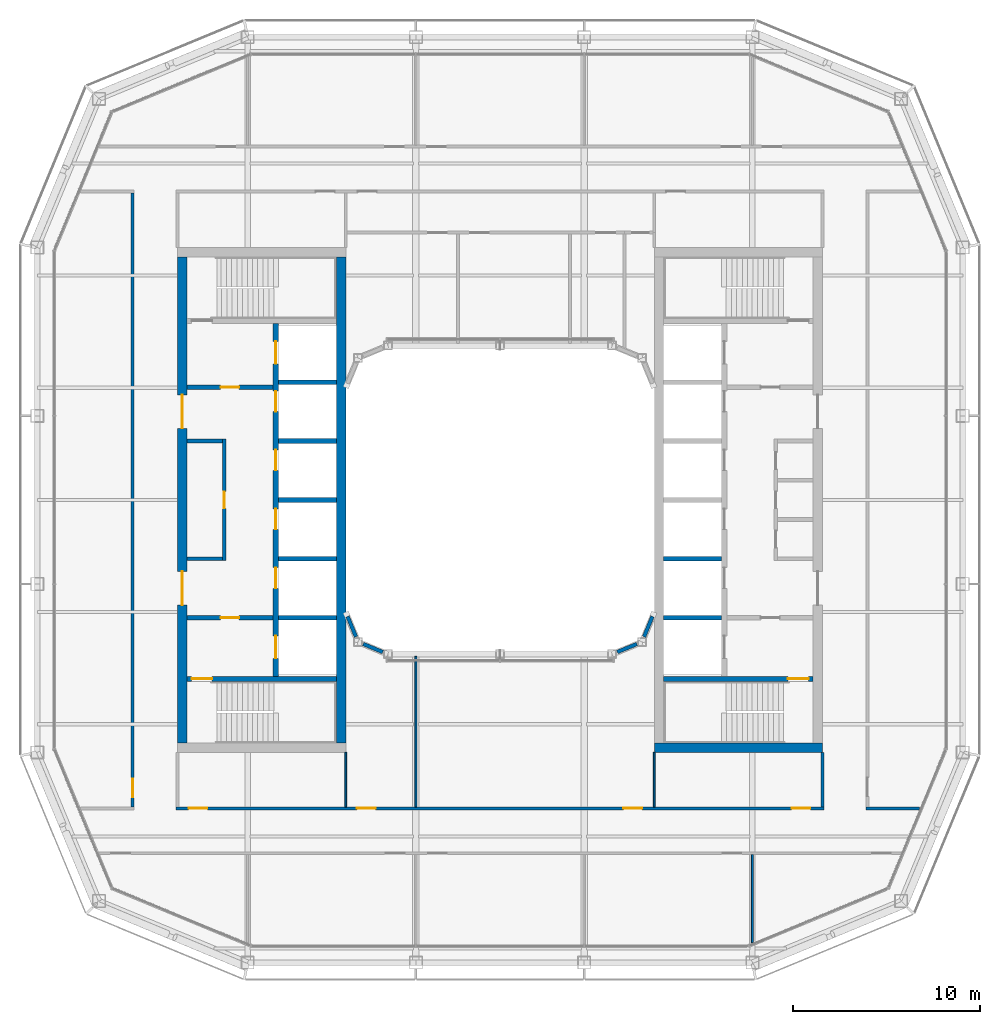
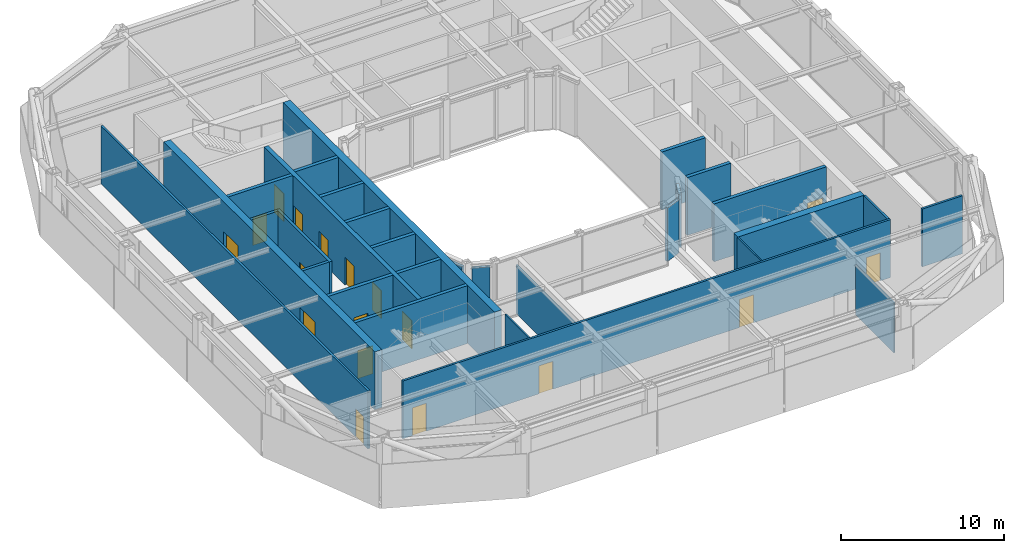
# One storey, part 11 of 18: 30 walls, 18 doors, 18 openings.
"""IFC4 building model written with IfcOpenShell, lengths in metres."""

from ifc_helpers import new_model, si_unit, direction, frame, frame_2d, origin, place, context, subcontext, project, spatial, rectangle, extrude, material, layer, layer_set, type_object, element, fill, save


model = new_model("IFC4")

# Units and contexts
model_context = context("Model", 3, precision=1e-05, world=origin(), true_north=direction((0.0, 1.0)))
body_context = subcontext(model_context, "Body", "Model", "MODEL_VIEW")
ifc_project = project(units=[si_unit("LENGTHUNIT", "METRE"), si_unit("AREAUNIT", "SQUARE_METRE"), si_unit("VOLUMEUNIT", "CUBIC_METRE"), si_unit("PLANEANGLEUNIT", "RADIAN"), si_unit("MASSUNIT", "GRAM", prefix="KILO")], contexts=[model_context])

# Site, building, storey
site_placement = place(None, origin())
site = spatial("IfcSite", under=ifc_project, at=site_placement, CompositionType="ELEMENT")
building_placement = place(site_placement, origin())
building = spatial("IfcBuilding", under=site, at=building_placement, Name="Siwar Civic Tower", CompositionType="ELEMENT")
storey_placement = place(building_placement, frame((0.0, 0.0, 321.199951171875)))
storey = spatial("IfcBuildingStorey", under=building, at=storey_placement, Name="L69", CompositionType="ELEMENT", Elevation=321.199951171875)

# Wall, opening, door
ifc_material_1 = material(Name="Gypsum board on steel studs", Category="steel")
ifc_layer_1 = layer(ifc_material_1, 0.199951171875)
ifc_layer_set_1 = layer_set([ifc_layer_1], Name="Gypsum board on steel studs")
wall_type_1 = type_object("IfcWallType", Name="CORE-PARTITION-200", PredefinedType="PARTITIONING", material=ifc_layer_set_1)
wall_1_placement = place(storey_placement, frame((-14.75, -3.25, 0.0), z_axis=(0.0, 0.0, 1.0), x_axis=(0.0, 1.0, 0.0)))
wall_1 = element("IfcWall", 1, at=wall_1_placement, inside=storey, type_object=wall_type_1, Name="Core partition W", PredefinedType="PARTITIONING", context=body_context, shape_type="SweptSolid", body=[
    extrude(rectangle(XDim=6.5, YDim=0.199951171875, at=frame_2d((3.25, 0.0))), origin(), (0.0, 0.0, 1.0), 4.35009765625),
])
opening_1_placement = place(wall_1_placement, frame((2.800048828125, 0.0, 0.0)))
opening_1 = element("IfcOpeningElement", 2, at=opening_1_placement, cuts=wall_1, Name="Opening L69-CW13", PredefinedType="OPENING", context=body_context, shape_type="SweptSolid", body=[
    extrude(rectangle(XDim=0.89990234375, YDim=2.10009765625, at=frame_2d((0.449951171875, 1.050048828125))), frame((0.0, 0.10986328125, 0.0), z_axis=(0.0, -1.0, 0.0), x_axis=(1.0, 0.0, 0.0)), (0.0, 0.0, 1.0), 0.219970703125),
])
ifc_material_2 = material(Name="Steel door leaf", Category="steel")
door_type_1 = type_object("IfcDoorType", Name="CORE-DOOR-ROOM", OperationType="SINGLE_SWING_LEFT", PredefinedType="DOOR", material=ifc_material_2)
door_1_placement = place(opening_1_placement, origin())
door_1 = element("IfcDoor", 3, at=door_1_placement, inside=storey, type_object=door_type_1, Name="Core room door L69-CW13", OperationType="SINGLE_SWING_RIGHT", OverallHeight=2.10009765625, OverallWidth=0.89990234375, PredefinedType="DOOR", context=body_context, shape_type="SweptSolid", body=[
    extrude(rectangle(XDim=0.89990234375, YDim=2.10009765625, at=frame_2d((0.449951171875, 1.050048828125))), frame((0.0, 0.02490234375, 0.0), z_axis=(0.0, -1.0, 0.0), x_axis=(1.0, 0.0, 0.0)), (0.0, 0.0, 1.0), 0.050048828125),
])
fill(opening_1, door_1)

# Walls
for number, where, z_axis, x_axis, name in (
    (4, (-14.85009765625, 3.14990234375, 0.0), (0.0, 0.0, 1.0), (-1.0, 0.0, 0.0), "Core partition W"),
    (5, (-14.85009765625, -3.14990234375, 0.0), (0.0, 0.0, 1.0), (-1.0, 0.0, 0.0), "Core partition W"),
):
    element("IfcWall", number, at=place(storey_placement, frame(where, z_axis=z_axis, x_axis=x_axis)), inside=storey, type_object=wall_type_1, Name=name, PredefinedType="PARTITIONING", context=body_context, shape_type="SweptSolid", body=[
        extrude(rectangle(XDim=1.89990234375, YDim=0.199951171875, at=frame_2d((0.949951171875, 0.0))), origin(), (0.0, 0.0, 1.0), 4.35009765625),
    ])

# Wall, opening, door
ifc_material_3 = material(Name="Concrete C60/75", Category="concrete")
ifc_layer_2 = layer(ifc_material_3, 0.25)
ifc_layer_set_2 = layer_set([ifc_layer_2], Name="Concrete C60/75")
wall_type_2 = type_object("IfcWallType", Name="CORE-WALL-RC250", PredefinedType="SHEAR", material=ifc_layer_set_2)
wall_2_placement = place(storey_placement, frame((-12.14990234375, 6.02490234375, 0.0), z_axis=(0.0, 0.0, 1.0), x_axis=(-1.0, 0.0, 0.0)))
wall_2 = element("IfcWall", 6, at=wall_2_placement, inside=storey, type_object=wall_type_2, Name="Core wall W", PredefinedType="SHEAR", context=body_context, shape_type="SweptSolid", body=[
    extrude(rectangle(XDim=4.60009765625, YDim=0.25, at=frame_2d((2.300048828125, 0.0))), origin(), (0.0, 0.0, 1.0), 4.35009765625),
])
opening_2_placement = place(wall_2_placement, frame((1.800048828125, 0.0, 0.0)))
opening_2 = element("IfcOpeningElement", 7, at=opening_2_placement, cuts=wall_2, Name="Opening L69-CW01", PredefinedType="OPENING", context=body_context, shape_type="SweptSolid", body=[
    extrude(rectangle(XDim=1.0, YDim=2.10009765625, at=frame_2d((0.5, 1.050048828125))), frame((0.0, 0.135009765625, 0.0), z_axis=(0.0, -1.0, 0.0), x_axis=(1.0, 0.0, 0.0)), (0.0, 0.0, 1.0), 0.27001953125),
])
ifc_material_4 = material(Name="Steel door leaf", Category="steel")
door_type_2 = type_object("IfcDoorType", Name="CORE-DOOR-FD30S", OperationType="SINGLE_SWING_LEFT", PredefinedType="DOOR", material=ifc_material_4)
door_2_placement = place(opening_2_placement, origin())
door_2 = element("IfcDoor", 8, at=door_2_placement, inside=storey, type_object=door_type_2, Name="Firefighting lobby door L69-CW01", OperationType="SINGLE_SWING_LEFT", OverallHeight=2.10009765625, OverallWidth=1.0, PredefinedType="DOOR", context=body_context, shape_type="SweptSolid", body=[
    extrude(rectangle(XDim=1.0, YDim=2.10009765625, at=frame_2d((0.5, 1.050048828125))), frame((0.0, 0.02490234375, 0.0), z_axis=(0.0, -1.0, 0.0), x_axis=(1.0, 0.0, 0.0)), (0.0, 0.0, 1.0), 0.050048828125),
])
fill(opening_2, door_2)

wall_3_placement = place(storey_placement, frame((-12.14990234375, -6.300048828125, 0.0), z_axis=(0.0, 0.0, 1.0), x_axis=(-1.0, 0.0, 0.0)))
wall_3 = element("IfcWall", 9, at=wall_3_placement, inside=storey, type_object=wall_type_2, Name="Core wall W", PredefinedType="SHEAR", context=body_context, shape_type="SweptSolid", body=[
    extrude(rectangle(XDim=4.60009765625, YDim=0.25, at=frame_2d((2.300048828125, 0.0))), origin(), (0.0, 0.0, 1.0), 4.35009765625),
])
opening_3_placement = place(wall_3_placement, frame((1.800048828125, 0.0, 0.0)))
opening_3 = element("IfcOpeningElement", 10, at=opening_3_placement, cuts=wall_3, Name="Opening L69-CW02", PredefinedType="OPENING", context=body_context, shape_type="SweptSolid", body=[
    extrude(rectangle(XDim=1.0, YDim=2.10009765625, at=frame_2d((0.5, 1.050048828125))), frame((0.0, 0.135009765625, 0.0), z_axis=(0.0, -1.0, 0.0), x_axis=(1.0, 0.0, 0.0)), (0.0, 0.0, 1.0), 0.27001953125),
])
door_3_placement = place(opening_3_placement, origin())
door_3 = element("IfcDoor", 11, at=door_3_placement, inside=storey, type_object=door_type_2, Name="Service lobby door L69-CW02", OperationType="SINGLE_SWING_RIGHT", OverallHeight=2.10009765625, OverallWidth=1.0, PredefinedType="DOOR", context=body_context, shape_type="SweptSolid", body=[
    extrude(rectangle(XDim=1.0, YDim=2.10009765625, at=frame_2d((0.5, 1.050048828125))), frame((0.0, 0.02490234375, 0.0), z_axis=(0.0, -1.0, 0.0), x_axis=(1.0, 0.0, 0.0)), (0.0, 0.0, 1.0), 0.050048828125),
])
fill(opening_3, door_3)

# Walls
for number, where, z_axis, x_axis, name in (
    (12, (-8.75, 0.0, 0.0), (0.0, 0.0, 1.0), (-1.0, 0.0, 0.0), "Core wall W"),
    (13, (-8.75, 3.14990234375, 0.0), (0.0, 0.0, 1.0), (-1.0, 0.0, 0.0), "Core wall W"),
    (14, (-8.75, 6.300048828125, 0.0), (0.0, 0.0, 1.0), (-1.0, 0.0, 0.0), "Core wall W"),
    (15, (-8.75, -3.14990234375, 0.0), (0.0, 0.0, 1.0), (-1.0, 0.0, 0.0), "Core wall W"),
    (16, (-8.75, -6.300048828125, 0.0), (0.0, 0.0, 1.0), (-1.0, 0.0, 0.0), "Core wall W"),
):
    element("IfcWall", number, at=place(storey_placement, frame(where, z_axis=z_axis, x_axis=x_axis)), inside=storey, type_object=wall_type_2, Name=name, PredefinedType="SHEAR", context=body_context, shape_type="SweptSolid", body=[
        extrude(rectangle(XDim=3.10009765625, YDim=0.25, at=frame_2d((1.550048828125, 0.0))), origin(), (0.0, 0.0, 1.0), 4.35009765625),
    ])

# Wall, opening, door
wall_4_placement = place(storey_placement, frame((-8.75, -9.574951171875, 0.0), z_axis=(0.0, 0.0, 1.0), x_axis=(-1.0, 0.0, 0.0)))
wall_4 = element("IfcWall", 17, at=wall_4_placement, inside=storey, type_object=wall_type_2, Name="Core wall W", PredefinedType="SHEAR", context=body_context, shape_type="SweptSolid", body=[
    extrude(rectangle(XDim=8.0, YDim=0.25, at=frame_2d((4.0, 0.0))), origin(), (0.0, 0.0, 1.0), 4.35009765625),
])
opening_4_placement = place(wall_4_placement, frame((6.64990234375, 0.0, 0.0)))
opening_4 = element("IfcOpeningElement", 18, at=opening_4_placement, cuts=wall_4, Name="Opening L69-CW04", PredefinedType="OPENING", context=body_context, shape_type="SweptSolid", body=[
    extrude(rectangle(XDim=1.10009765625, YDim=2.10009765625, at=frame_2d((0.550048828125, 1.050048828125))), frame((0.0, 0.135009765625, 0.0), z_axis=(0.0, -1.0, 0.0), x_axis=(1.0, 0.0, 0.0)), (0.0, 0.0, 1.0), 0.27001953125),
])
ifc_material_5 = material(Name="Steel door leaf", Category="steel")
door_type_3 = type_object("IfcDoorType", Name="CORE-DOOR-FD60S", OperationType="SINGLE_SWING_LEFT", PredefinedType="DOOR", material=ifc_material_5)
door_4_placement = place(opening_4_placement, origin())
door_4 = element("IfcDoor", 19, at=door_4_placement, inside=storey, type_object=door_type_3, Name="Stair door L69-CW04", OperationType="SINGLE_SWING_LEFT", OverallHeight=2.10009765625, OverallWidth=1.10009765625, PredefinedType="DOOR", context=body_context, shape_type="SweptSolid", body=[
    extrude(rectangle(XDim=1.10009765625, YDim=2.10009765625, at=frame_2d((0.550048828125, 1.050048828125))), frame((0.0, 0.02490234375, 0.0), z_axis=(0.0, -1.0, 0.0), x_axis=(1.0, 0.0, 0.0)), (0.0, 0.0, 1.0), 0.050048828125),
])
fill(opening_4, door_4)

# Walls
for number, where, z_axis, x_axis, name in (
    (20, (8.75, -3.14990234375, 0.0), (0.0, 0.0, 1.0), (1.0, 0.0, 0.0), "Core wall E"),
    (21, (8.75, -6.300048828125, 0.0), (0.0, 0.0, 1.0), (1.0, 0.0, 0.0), "Core wall E"),
):
    element("IfcWall", number, at=place(storey_placement, frame(where, z_axis=z_axis, x_axis=x_axis)), inside=storey, type_object=wall_type_2, Name=name, PredefinedType="SHEAR", context=body_context, shape_type="SweptSolid", body=[
        extrude(rectangle(XDim=3.10009765625, YDim=0.25, at=frame_2d((1.550048828125, 0.0))), origin(), (0.0, 0.0, 1.0), 4.35009765625),
    ])

# Wall, opening, door
wall_5_placement = place(storey_placement, frame((8.75, -9.574951171875, 0.0), z_axis=(0.0, 0.0, 1.0), x_axis=(1.0, 0.0, 0.0)))
wall_5 = element("IfcWall", 22, at=wall_5_placement, inside=storey, type_object=wall_type_2, Name="Core wall E", PredefinedType="SHEAR", context=body_context, shape_type="SweptSolid", body=[
    extrude(rectangle(XDim=8.0, YDim=0.25, at=frame_2d((4.0, 0.0))), origin(), (0.0, 0.0, 1.0), 4.35009765625),
])
opening_5_placement = place(wall_5_placement, frame((6.64990234375, 0.0, 0.0)))
opening_5 = element("IfcOpeningElement", 23, at=opening_5_placement, cuts=wall_5, Name="Opening L69-CE04", PredefinedType="OPENING", context=body_context, shape_type="SweptSolid", body=[
    extrude(rectangle(XDim=1.10009765625, YDim=2.10009765625, at=frame_2d((0.550048828125, 1.050048828125))), frame((0.0, 0.135009765625, 0.0), z_axis=(0.0, -1.0, 0.0), x_axis=(1.0, 0.0, 0.0)), (0.0, 0.0, 1.0), 0.27001953125),
])
door_5_placement = place(opening_5_placement, origin())
door_5 = element("IfcDoor", 24, at=door_5_placement, inside=storey, type_object=door_type_3, Name="Stair door L69-CE04", OperationType="SINGLE_SWING_RIGHT", OverallHeight=2.10009765625, OverallWidth=1.10009765625, PredefinedType="DOOR", context=body_context, shape_type="SweptSolid", body=[
    extrude(rectangle(XDim=1.10009765625, YDim=2.10009765625, at=frame_2d((0.550048828125, 1.050048828125))), frame((0.0, 0.02490234375, 0.0), z_axis=(0.0, -1.0, 0.0), x_axis=(1.0, 0.0, 0.0)), (0.0, 0.0, 1.0), 0.050048828125),
])
fill(opening_5, door_5)

# Wall, openings, doors
ifc_material_6 = material(Name="Concrete C60/75", Category="concrete")
ifc_layer_3 = layer(ifc_material_6, 0.300048828125)
ifc_layer_set_3 = layer_set([ifc_layer_3], Name="Concrete C60/75")
wall_type_3 = type_object("IfcWallType", Name="CORE-WALL-RC300", PredefinedType="SHEAR", material=ifc_layer_set_3)
wall_6_placement = place(storey_placement, frame((-12.0, -9.449951171875, 0.0), z_axis=(0.0, 0.0, 1.0), x_axis=(0.0, 1.0, 0.0)))
wall_6 = element("IfcWall", 25, at=wall_6_placement, inside=storey, type_object=wall_type_3, Name="Core wall W", PredefinedType="SHEAR", context=body_context, shape_type="SweptSolid", body=[
    extrude(rectangle(XDim=18.89990234375, YDim=0.300048828125, at=frame_2d((9.449951171875, 0.0))), origin(), (0.0, 0.0, 1.0), 4.35009765625),
])
opening_6_placement = place(wall_6_placement, frame((4.72509765625, 0.0, 0.0)))
opening_6 = element("IfcOpeningElement", 26, at=opening_6_placement, cuts=wall_6, Name="Opening L69-CW07", PredefinedType="OPENING", context=body_context, shape_type="SweptSolid", body=[
    extrude(rectangle(XDim=1.10009765625, YDim=2.10009765625, at=frame_2d((0.550048828125, 1.050048828125))), frame((0.0, 0.16015625, 0.0), z_axis=(0.0, -1.0, 0.0), x_axis=(1.0, 0.0, 0.0)), (0.0, 0.0, 1.0), 0.320068359375),
])
opening_7_placement = place(wall_6_placement, frame((7.875, 0.0, 0.0)))
opening_7 = element("IfcOpeningElement", 27, at=opening_7_placement, cuts=wall_6, Name="Opening L69-CW08", PredefinedType="OPENING", context=body_context, shape_type="SweptSolid", body=[
    extrude(rectangle(XDim=1.10009765625, YDim=2.10009765625, at=frame_2d((0.550048828125, 1.050048828125))), frame((0.0, 0.16015625, 0.0), z_axis=(0.0, -1.0, 0.0), x_axis=(1.0, 0.0, 0.0)), (0.0, 0.0, 1.0), 0.320068359375),
])
opening_8_placement = place(wall_6_placement, frame((11.02490234375, 0.0, 0.0)))
opening_8 = element("IfcOpeningElement", 28, at=opening_8_placement, cuts=wall_6, Name="Opening L69-CW09", PredefinedType="OPENING", context=body_context, shape_type="SweptSolid", body=[
    extrude(rectangle(XDim=1.10009765625, YDim=2.10009765625, at=frame_2d((0.550048828125, 1.050048828125))), frame((0.0, 0.16015625, 0.0), z_axis=(0.0, -1.0, 0.0), x_axis=(1.0, 0.0, 0.0)), (0.0, 0.0, 1.0), 0.320068359375),
])
opening_9_placement = place(wall_6_placement, frame((14.175048828125, 0.0, 0.0)))
opening_9 = element("IfcOpeningElement", 29, at=opening_9_placement, cuts=wall_6, Name="Opening L69-CW10", PredefinedType="OPENING", context=body_context, shape_type="SweptSolid", body=[
    extrude(rectangle(XDim=1.10009765625, YDim=2.10009765625, at=frame_2d((0.550048828125, 1.050048828125))), frame((0.0, 0.16015625, 0.0), z_axis=(0.0, -1.0, 0.0), x_axis=(1.0, 0.0, 0.0)), (0.0, 0.0, 1.0), 0.320068359375),
])
opening_10_placement = place(wall_6_placement, frame((16.72509765625, 0.0, 0.0)))
opening_10 = element("IfcOpeningElement", 30, at=opening_10_placement, cuts=wall_6, Name="Opening L69-CW11", PredefinedType="OPENING", context=body_context, shape_type="SweptSolid", body=[
    extrude(rectangle(XDim=1.199951171875, YDim=2.10009765625, at=frame_2d((0.60009765625, 1.050048828125))), frame((0.0, 0.16015625, 0.0), z_axis=(0.0, -1.0, 0.0), x_axis=(1.0, 0.0, 0.0)), (0.0, 0.0, 1.0), 0.320068359375),
])
opening_11_placement = place(wall_6_placement, frame((0.97509765625, 0.0, 0.0)))
opening_11 = element("IfcOpeningElement", 31, at=opening_11_placement, cuts=wall_6, Name="Opening L69-CW12", PredefinedType="OPENING", context=body_context, shape_type="SweptSolid", body=[
    extrude(rectangle(XDim=1.199951171875, YDim=2.10009765625, at=frame_2d((0.60009765625, 1.050048828125))), frame((0.0, 0.16015625, 0.0), z_axis=(0.0, -1.0, 0.0), x_axis=(1.0, 0.0, 0.0)), (0.0, 0.0, 1.0), 0.320068359375),
])
ifc_material_7 = material(Name="Steel door leaf", Category="steel")
door_type_4 = type_object("IfcDoorType", Name="CORE-DOOR-LD", OperationType="DOUBLE_DOOR_SLIDING", PredefinedType="DOOR", material=ifc_material_7)
door_6_placement = place(opening_6_placement, origin())
door_6 = element("IfcDoor", 32, at=door_6_placement, inside=storey, type_object=door_type_4, Name="Landing door HR1 L69-CW07", OperationType="DOUBLE_DOOR_SLIDING", OverallHeight=2.10009765625, OverallWidth=1.10009765625, PredefinedType="DOOR", context=body_context, shape_type="SweptSolid", body=[
    extrude(rectangle(XDim=1.10009765625, YDim=2.10009765625, at=frame_2d((0.550048828125, 1.050048828125))), frame((0.0, 0.02490234375, 0.0), z_axis=(0.0, -1.0, 0.0), x_axis=(1.0, 0.0, 0.0)), (0.0, 0.0, 1.0), 0.050048828125),
])
fill(opening_6, door_6)
door_7_placement = place(opening_7_placement, origin())
door_7 = element("IfcDoor", 33, at=door_7_placement, inside=storey, type_object=door_type_4, Name="Landing door HR2 L69-CW08", OperationType="DOUBLE_DOOR_SLIDING", OverallHeight=2.10009765625, OverallWidth=1.10009765625, PredefinedType="DOOR", context=body_context, shape_type="SweptSolid", body=[
    extrude(rectangle(XDim=1.10009765625, YDim=2.10009765625, at=frame_2d((0.550048828125, 1.050048828125))), frame((0.0, 0.02490234375, 0.0), z_axis=(0.0, -1.0, 0.0), x_axis=(1.0, 0.0, 0.0)), (0.0, 0.0, 1.0), 0.050048828125),
])
fill(opening_7, door_7)
door_8_placement = place(opening_8_placement, origin())
door_8 = element("IfcDoor", 34, at=door_8_placement, inside=storey, type_object=door_type_4, Name="Landing door HR3 L69-CW09", OperationType="DOUBLE_DOOR_SLIDING", OverallHeight=2.10009765625, OverallWidth=1.10009765625, PredefinedType="DOOR", context=body_context, shape_type="SweptSolid", body=[
    extrude(rectangle(XDim=1.10009765625, YDim=2.10009765625, at=frame_2d((0.550048828125, 1.050048828125))), frame((0.0, 0.02490234375, 0.0), z_axis=(0.0, -1.0, 0.0), x_axis=(1.0, 0.0, 0.0)), (0.0, 0.0, 1.0), 0.050048828125),
])
fill(opening_8, door_8)
door_9_placement = place(opening_9_placement, origin())
door_9 = element("IfcDoor", 35, at=door_9_placement, inside=storey, type_object=door_type_4, Name="Landing door HR4 L69-CW10", OperationType="DOUBLE_DOOR_SLIDING", OverallHeight=2.10009765625, OverallWidth=1.10009765625, PredefinedType="DOOR", context=body_context, shape_type="SweptSolid", body=[
    extrude(rectangle(XDim=1.10009765625, YDim=2.10009765625, at=frame_2d((0.550048828125, 1.050048828125))), frame((0.0, 0.02490234375, 0.0), z_axis=(0.0, -1.0, 0.0), x_axis=(1.0, 0.0, 0.0)), (0.0, 0.0, 1.0), 0.050048828125),
])
fill(opening_9, door_9)
ifc_material_8 = material(Name="Steel door leaf", Category="steel")
door_type_5 = type_object("IfcDoorType", Name="CORE-DOOR-LDW", OperationType="DOUBLE_DOOR_SLIDING", PredefinedType="DOOR", material=ifc_material_8)
door_10_placement = place(opening_10_placement, origin())
door_10 = element("IfcDoor", 36, at=door_10_placement, inside=storey, type_object=door_type_5, Name="Landing door FF1 L69-CW11", OperationType="DOUBLE_DOOR_SLIDING", OverallHeight=2.10009765625, OverallWidth=1.199951171875, PredefinedType="DOOR", context=body_context, shape_type="SweptSolid", body=[
    extrude(rectangle(XDim=1.199951171875, YDim=2.10009765625, at=frame_2d((0.60009765625, 1.050048828125))), frame((0.0, 0.02490234375, 0.0), z_axis=(0.0, -1.0, 0.0), x_axis=(1.0, 0.0, 0.0)), (0.0, 0.0, 1.0), 0.050048828125),
])
fill(opening_10, door_10)
door_11_placement = place(opening_11_placement, origin())
door_11 = element("IfcDoor", 37, at=door_11_placement, inside=storey, type_object=door_type_5, Name="Landing door SV1 L69-CW12", OperationType="DOUBLE_DOOR_SLIDING", OverallHeight=2.10009765625, OverallWidth=1.199951171875, PredefinedType="DOOR", context=body_context, shape_type="SweptSolid", body=[
    extrude(rectangle(XDim=1.199951171875, YDim=2.10009765625, at=frame_2d((0.60009765625, 1.050048828125))), frame((0.0, 0.02490234375, 0.0), z_axis=(0.0, -1.0, 0.0), x_axis=(1.0, 0.0, 0.0)), (0.0, 0.0, 1.0), 0.050048828125),
])
fill(opening_11, door_11)

ifc_material_9 = material(Name="Concrete C60/75", Category="concrete")
ifc_layer_4 = layer(ifc_material_9, 0.5)
ifc_layer_set_4 = layer_set([ifc_layer_4], Name="Concrete C60/75")
wall_type_4 = type_object("IfcWallType", Name="CORE-WALL-RC500", PredefinedType="SHEAR", material=ifc_layer_set_4)
wall_7_placement = place(storey_placement, frame((-17.0, -13.0, 0.0), z_axis=(0.0, 0.0, 1.0), x_axis=(0.0, 1.0, 0.0)))
wall_7 = element("IfcWall", 38, at=wall_7_placement, inside=storey, type_object=wall_type_4, Name="Core wall W", PredefinedType="SHEAR", context=body_context, shape_type="SweptSolid", body=[
    extrude(rectangle(XDim=26.0, YDim=0.5, at=frame_2d((13.0, 0.0))), origin(), (0.0, 0.0, 1.0), 4.35009765625),
])
opening_12_placement = place(wall_7_placement, frame((16.824951171875, 0.0, 0.0)))
opening_12 = element("IfcOpeningElement", 39, at=opening_12_placement, cuts=wall_7, Name="Opening L69-CW05", PredefinedType="OPENING", context=body_context, shape_type="SweptSolid", body=[
    extrude(rectangle(XDim=1.800048828125, YDim=2.10009765625, at=frame_2d((0.89990234375, 1.050048828125))), frame((0.0, 0.260009765625, 0.0), z_axis=(0.0, -1.0, 0.0), x_axis=(1.0, 0.0, 0.0)), (0.0, 0.0, 1.0), 0.52001953125),
])
opening_13_placement = place(wall_7_placement, frame((7.375, 0.0, 0.0)))
opening_13 = element("IfcOpeningElement", 40, at=opening_13_placement, cuts=wall_7, Name="Opening L69-CW06", PredefinedType="OPENING", context=body_context, shape_type="SweptSolid", body=[
    extrude(rectangle(XDim=1.800048828125, YDim=2.10009765625, at=frame_2d((0.89990234375, 1.050048828125))), frame((0.0, 0.260009765625, 0.0), z_axis=(0.0, -1.0, 0.0), x_axis=(1.0, 0.0, 0.0)), (0.0, 0.0, 1.0), 0.52001953125),
])
ifc_material_10 = material(Name="Steel door leaf", Category="steel")
door_type_6 = type_object("IfcDoorType", Name="CORE-DOOR-PORT", OperationType="DOUBLE_DOOR_DOUBLE_SWING", PredefinedType="DOOR", material=ifc_material_10)
door_12_placement = place(opening_12_placement, origin())
door_12 = element("IfcDoor", 41, at=door_12_placement, inside=storey, type_object=door_type_6, Name="Core entrance door L69-CW05", OperationType="DOUBLE_DOOR_DOUBLE_SWING", OverallHeight=2.10009765625, OverallWidth=1.800048828125, PredefinedType="DOOR", context=body_context, shape_type="SweptSolid", body=[
    extrude(rectangle(XDim=1.800048828125, YDim=2.10009765625, at=frame_2d((0.89990234375, 1.050048828125))), frame((0.0, 0.02490234375, 0.0), z_axis=(0.0, -1.0, 0.0), x_axis=(1.0, 0.0, 0.0)), (0.0, 0.0, 1.0), 0.050048828125),
])
fill(opening_12, door_12)
door_13_placement = place(opening_13_placement, origin())
door_13 = element("IfcDoor", 42, at=door_13_placement, inside=storey, type_object=door_type_6, Name="Core entrance door L69-CW06", OperationType="DOUBLE_DOOR_DOUBLE_SWING", OverallHeight=2.10009765625, OverallWidth=1.800048828125, PredefinedType="DOOR", context=body_context, shape_type="SweptSolid", body=[
    extrude(rectangle(XDim=1.800048828125, YDim=2.10009765625, at=frame_2d((0.89990234375, 1.050048828125))), frame((0.0, 0.02490234375, 0.0), z_axis=(0.0, -1.0, 0.0), x_axis=(1.0, 0.0, 0.0)), (0.0, 0.0, 1.0), 0.050048828125),
])
fill(opening_13, door_13)

# Walls
wall_8_placement = place(storey_placement, frame((8.25, -13.25, 0.0), z_axis=(0.0, 0.0, 1.0), x_axis=(1.0, 0.0, 0.0)))
element("IfcWall", 43, at=wall_8_placement, inside=storey, type_object=wall_type_4, Name="Core wall E", PredefinedType="SHEAR", context=body_context, shape_type="SweptSolid", body=[
    extrude(rectangle(XDim=9.0, YDim=0.5, at=frame_2d((4.5, 0.0))), origin(), (0.0, 0.0, 1.0), 4.35009765625),
])
ifc_material_11 = material(Name="Concrete C60/75", Category="concrete")
ifc_layer_5 = layer(ifc_material_11, 0.5)
ifc_layer_set_5 = layer_set([ifc_layer_5], Name="Concrete C60/75")
wall_type_5 = type_object("IfcWallType", Name="CORE-WALL-RC500-EXT", PredefinedType="SHEAR", material=ifc_layer_set_5)
wall_9_placement = place(storey_placement, frame((-8.5, -13.0, 0.0), z_axis=(0.0, 0.0, 1.0), x_axis=(0.0, 1.0, 0.0)))
element("IfcWall", 44, at=wall_9_placement, inside=storey, type_object=wall_type_5, Name="Core wall W", PredefinedType="SHEAR", context=body_context, shape_type="SweptSolid", body=[
    extrude(rectangle(XDim=26.0, YDim=0.5, at=frame_2d((13.0, 0.0))), origin(), (0.0, 0.0, 1.0), 4.35009765625),
])

# Wall, openings, doors
ifc_material_12 = material(Name="Gypsum board on steel studs", Category="steel")
ifc_layer_6 = layer(ifc_material_12, 0.14990234375)
ifc_layer_set_6 = layer_set([ifc_layer_6], Name="Gypsum board on steel studs")
wall_type_6 = type_object("IfcWallType", Name="CORRIDOR PARTITION 150 EI 30", PredefinedType="PARTITIONING", material=ifc_layer_set_6)
wall_10_placement = place(storey_placement, frame((-17.324951171875, -16.5, 0.0), z_axis=(0.0, 0.0, 1.0), x_axis=(1.0, 0.0, 0.0)))
wall_10 = element("IfcWall", 45, at=wall_10_placement, inside=storey, type_object=wall_type_6, Name="L69/wall/P03", PredefinedType="PARTITIONING", context=body_context, shape_type="SweptSolid", body=[
    extrude(rectangle(XDim=34.64990234375, YDim=0.14990234375, at=frame_2d((17.324951171875, 0.0))), origin(), (0.0, 0.0, 1.0), 4.35009765625),
])
opening_14_placement = place(wall_10_placement, frame((9.675048828125, 0.0, 0.0)))
opening_14 = element("IfcOpeningElement", 46, at=opening_14_placement, cuts=wall_10, Name="Opening D1", PredefinedType="OPENING", context=body_context, shape_type="SweptSolid", body=[
    extrude(rectangle(XDim=1.0, YDim=2.10009765625, at=frame_2d((0.5, 1.050048828125))), frame((0.0, 0.0849609375, 0.0), z_axis=(0.0, -1.0, 0.0), x_axis=(1.0, 0.0, 0.0)), (0.0, 0.0, 1.0), 0.169921875),
])
opening_15_placement = place(wall_10_placement, frame((23.925048828125, 0.0, 0.0)))
opening_15 = element("IfcOpeningElement", 47, at=opening_15_placement, cuts=wall_10, Name="Opening D1", PredefinedType="OPENING", context=body_context, shape_type="SweptSolid", body=[
    extrude(rectangle(XDim=1.0, YDim=2.10009765625, at=frame_2d((0.5, 1.050048828125))), frame((0.0, 0.0849609375, 0.0), z_axis=(0.0, -1.0, 0.0), x_axis=(1.0, 0.0, 0.0)), (0.0, 0.0, 1.0), 0.169921875),
])
opening_16_placement = place(wall_10_placement, frame((0.675048828125, 0.0, 0.0)))
opening_16 = element("IfcOpeningElement", 48, at=opening_16_placement, cuts=wall_10, Name="Opening D1", PredefinedType="OPENING", context=body_context, shape_type="SweptSolid", body=[
    extrude(rectangle(XDim=1.0, YDim=2.10009765625, at=frame_2d((0.5, 1.050048828125))), frame((0.0, 0.0849609375, 0.0), z_axis=(0.0, -1.0, 0.0), x_axis=(1.0, 0.0, 0.0)), (0.0, 0.0, 1.0), 0.169921875),
])
opening_17_placement = place(wall_10_placement, frame((32.925048828125, 0.0, 0.0)))
opening_17 = element("IfcOpeningElement", 49, at=opening_17_placement, cuts=wall_10, Name="Opening D1", PredefinedType="OPENING", context=body_context, shape_type="SweptSolid", body=[
    extrude(rectangle(XDim=1.0, YDim=2.10009765625, at=frame_2d((0.5, 1.050048828125))), frame((0.0, 0.0849609375, 0.0), z_axis=(0.0, -1.0, 0.0), x_axis=(1.0, 0.0, 0.0)), (0.0, 0.0, 1.0), 0.169921875),
])
ifc_material_13 = material(Name="Timber, painted", Category="wood")
door_type_7 = type_object("IfcDoorType", Name="DOOR 1000 X 2100 FD30", OperationType="SINGLE_SWING_LEFT", PredefinedType="DOOR", material=ifc_material_13)
door_14_placement = place(opening_14_placement, origin())
door_14 = element("IfcDoor", 50, at=door_14_placement, inside=storey, type_object=door_type_7, Name="L69-D16", OperationType="SINGLE_SWING_RIGHT", OverallHeight=2.10009765625, OverallWidth=1.0, PredefinedType="DOOR", context=body_context, shape_type="SweptSolid", body=[
    extrude(rectangle(XDim=1.0, YDim=2.10009765625, at=frame_2d((0.5, 1.050048828125))), frame((0.0, 0.02490234375, 0.0), z_axis=(0.0, -1.0, 0.0), x_axis=(1.0, 0.0, 0.0)), (0.0, 0.0, 1.0), 0.050048828125),
])
fill(opening_14, door_14)
door_15_placement = place(opening_15_placement, origin())
door_15 = element("IfcDoor", 51, at=door_15_placement, inside=storey, type_object=door_type_7, Name="L69-D17", OperationType="SINGLE_SWING_LEFT", OverallHeight=2.10009765625, OverallWidth=1.0, PredefinedType="DOOR", context=body_context, shape_type="SweptSolid", body=[
    extrude(rectangle(XDim=1.0, YDim=2.10009765625, at=frame_2d((0.5, 1.050048828125))), frame((0.0, 0.02490234375, 0.0), z_axis=(0.0, -1.0, 0.0), x_axis=(1.0, 0.0, 0.0)), (0.0, 0.0, 1.0), 0.050048828125),
])
fill(opening_15, door_15)
door_16_placement = place(opening_16_placement, origin())
door_16 = element("IfcDoor", 52, at=door_16_placement, inside=storey, type_object=door_type_7, Name="L69-D20", OperationType="SINGLE_SWING_RIGHT", OverallHeight=2.10009765625, OverallWidth=1.0, PredefinedType="DOOR", context=body_context, shape_type="SweptSolid", body=[
    extrude(rectangle(XDim=1.0, YDim=2.10009765625, at=frame_2d((0.5, 1.050048828125))), frame((0.0, 0.02490234375, 0.0), z_axis=(0.0, -1.0, 0.0), x_axis=(1.0, 0.0, 0.0)), (0.0, 0.0, 1.0), 0.050048828125),
])
fill(opening_16, door_16)
door_17_placement = place(opening_17_placement, origin())
door_17 = element("IfcDoor", 53, at=door_17_placement, inside=storey, type_object=door_type_7, Name="L69-D21", OperationType="SINGLE_SWING_LEFT", OverallHeight=2.10009765625, OverallWidth=1.0, PredefinedType="DOOR", context=body_context, shape_type="SweptSolid", body=[
    extrude(rectangle(XDim=1.0, YDim=2.10009765625, at=frame_2d((0.5, 1.050048828125))), frame((0.0, 0.02490234375, 0.0), z_axis=(0.0, -1.0, 0.0), x_axis=(1.0, 0.0, 0.0)), (0.0, 0.0, 1.0), 0.050048828125),
])
fill(opening_17, door_17)

# Wall
wall_11_placement = place(storey_placement, frame((19.574951171875, -16.5, 0.0), z_axis=(0.0, 0.0, 1.0), x_axis=(1.0, 0.0, 0.0)))
element("IfcWall", 54, at=wall_11_placement, inside=storey, type_object=wall_type_6, Name="L69/wall/P04", PredefinedType="PARTITIONING", context=body_context, shape_type="SweptSolid", body=[
    extrude(rectangle(XDim=2.861083984375, YDim=0.14990234375, at=frame_2d((1.4306640625, 0.0))), origin(), (0.0, 0.0, 1.0), 4.35009765625),
])

# Wall, opening, door
wall_12_placement = place(storey_placement, frame((-19.64990234375, -16.425048828125, 0.0), z_axis=(0.0, 0.0, 1.0), x_axis=(0.0, 1.0, 0.0)))
wall_12 = element("IfcWall", 55, at=wall_12_placement, inside=storey, type_object=wall_type_6, Name="L69/wall/P11", PredefinedType="PARTITIONING", context=body_context, shape_type="SweptSolid", body=[
    extrude(rectangle(XDim=32.85009765625, YDim=0.14990234375, at=frame_2d((16.425048828125, 0.0))), origin(), (0.0, 0.0, 1.0), 4.35009765625),
])
opening_18_placement = place(wall_12_placement, frame((0.52490234375, 0.0, 0.0)))
opening_18 = element("IfcOpeningElement", 56, at=opening_18_placement, cuts=wall_12, Name="Opening D1", PredefinedType="OPENING", context=body_context, shape_type="SweptSolid", body=[
    extrude(rectangle(XDim=1.0, YDim=2.10009765625, at=frame_2d((0.5, 1.050048828125))), frame((0.0, 0.0849609375, 0.0), z_axis=(0.0, -1.0, 0.0), x_axis=(1.0, 0.0, 0.0)), (0.0, 0.0, 1.0), 0.169921875),
])
door_18_placement = place(opening_18_placement, origin())
door_18 = element("IfcDoor", 57, at=door_18_placement, inside=storey, type_object=door_type_7, Name="L69-D22", OperationType="SINGLE_SWING_RIGHT", OverallHeight=2.10009765625, OverallWidth=1.0, PredefinedType="DOOR", context=body_context, shape_type="SweptSolid", body=[
    extrude(rectangle(XDim=1.0, YDim=2.10009765625, at=frame_2d((0.5, 1.050048828125))), frame((0.0, 0.02490234375, 0.0), z_axis=(0.0, -1.0, 0.0), x_axis=(1.0, 0.0, 0.0)), (0.0, 0.0, 1.0), 0.050048828125),
])
fill(opening_18, door_18)

# Walls
wall_13_placement = place(storey_placement, frame((17.25, -16.425048828125, 0.0), z_axis=(0.0, 0.0, 1.0), x_axis=(0.0, 1.0, 0.0)))
element("IfcWall", 58, at=wall_13_placement, inside=storey, type_object=wall_type_6, Name="L69/wall/P31", PredefinedType="PARTITIONING", context=body_context, shape_type="SweptSolid", body=[
    extrude(rectangle(XDim=2.925048828125, YDim=0.14990234375, at=frame_2d((1.46240234375, 0.0))), origin(), (0.0, 0.0, 1.0), 4.35009765625),
])
ifc_material_14 = material(Name="Aluminium clad insulated panel", Category="aluminium")
ifc_layer_7 = layer(ifc_material_14, 0.199951171875)
ifc_layer_set_7 = layer_set([ifc_layer_7], Name="Aluminium clad insulated panel")
wall_type_7 = type_object("IfcWallType", Name="ENV-WALL-WELL", PredefinedType="STANDARD", material=ifc_layer_set_7)
wall_14_placement = place(storey_placement, frame((6.271484375, -8.137451171875, 0.0), z_axis=(0.0, 0.0, 1.0), x_axis=(0.923864661962, 0.382719331074, 0.0)))
element("IfcWall", 59, at=wall_14_placement, inside=storey, type_object=wall_type_7, Name="Light well corner wall SE1", PredefinedType="STANDARD", context=body_context, shape_type="SweptSolid", body=[
    extrude(rectangle(XDim=1.13427734375, YDim=0.199951171875, at=frame_2d((0.567138671875, 0.0))), origin(), (0.0, 0.0, 1.0), 4.010009765625),
])
for number, where, z_axis, x_axis, name in (
    (60, (7.703369140625, -7.3193359375, 0.0), (0.0, 0.0, 1.0), (0.382760542083, 0.92384758885, 0.0), "Light well corner wall SE2"),
    (61, (-8.154296875, -6.23095703125, 0.0), (0.0, 0.0, 1.0), (0.382760542083, -0.92384758885, 0.0), "Light well corner wall SW1"),
):
    element("IfcWall", number, at=place(storey_placement, frame(where, z_axis=z_axis, x_axis=x_axis)), inside=storey, type_object=wall_type_7, Name=name, PredefinedType="STANDARD", context=body_context, shape_type="SweptSolid", body=[
        extrude(rectangle(XDim=1.177978515625, YDim=0.199951171875, at=frame_2d((0.5888671875, 0.0))), origin(), (0.0, 0.0, 1.0), 4.010009765625),
    ])
wall_15_placement = place(storey_placement, frame((-7.3193359375, -7.703369140625, 0.0), z_axis=(0.0, 0.0, 1.0), x_axis=(0.923864661962, -0.382719331074, 0.0)))
element("IfcWall", 62, at=wall_15_placement, inside=storey, type_object=wall_type_7, Name="Light well corner wall SW2", PredefinedType="STANDARD", context=body_context, shape_type="SweptSolid", body=[
    extrude(rectangle(XDim=1.13427734375, YDim=0.199951171875, at=frame_2d((0.567138671875, 0.0))), origin(), (0.0, 0.0, 1.0), 4.010009765625),
])
ifc_material_15 = material(Name="Gypsum board on steel studs", Category="steel")
ifc_layer_8 = layer(ifc_material_15, 0.10009765625)
ifc_layer_set_8 = layer_set([ifc_layer_8], Name="Gypsum board on steel studs")
wall_type_8 = type_object("IfcWallType", Name="PARTITION 100 GYPSUM", PredefinedType="PARTITIONING", material=ifc_layer_set_8)
wall_16_placement = place(storey_placement, frame((-8.25, -16.425048828125, 0.0), z_axis=(0.0, 0.0, 1.0), x_axis=(0.0, 1.0, 0.0)))
element("IfcWall", 63, at=wall_16_placement, inside=storey, type_object=wall_type_8, Name="L69/wall/P16", PredefinedType="PARTITIONING", context=body_context, shape_type="SweptSolid", body=[
    extrude(rectangle(XDim=2.925048828125, YDim=0.10009765625, at=frame_2d((1.46240234375, 0.0))), origin(), (0.0, 0.0, 1.0), 4.35009765625),
])
wall_17_placement = place(storey_placement, frame((-4.5, -16.425048828125, 0.0), z_axis=(0.0, 0.0, 1.0), x_axis=(0.0, 1.0, 0.0)))
element("IfcWall", 64, at=wall_17_placement, inside=storey, type_object=wall_type_8, Name="L69/wall/P19", PredefinedType="PARTITIONING", context=body_context, shape_type="SweptSolid", body=[
    extrude(rectangle(XDim=8.054931640625, YDim=0.10009765625, at=frame_2d((4.02734375, 0.0))), origin(), (0.0, 0.0, 1.0), 3.650146484375),
])
wall_18_placement = place(storey_placement, frame((8.25, -16.425048828125, 0.0), z_axis=(0.0, 0.0, 1.0), x_axis=(0.0, 1.0, 0.0)))
element("IfcWall", 65, at=wall_18_placement, inside=storey, type_object=wall_type_8, Name="L69/wall/P26", PredefinedType="PARTITIONING", context=body_context, shape_type="SweptSolid", body=[
    extrude(rectangle(XDim=2.925048828125, YDim=0.10009765625, at=frame_2d((1.46240234375, 0.0))), origin(), (0.0, 0.0, 1.0), 4.35009765625),
])
wall_19_placement = place(storey_placement, frame((13.5, -23.677978515625, 0.0), z_axis=(0.0, 0.0, 1.0), x_axis=(0.0, 1.0, 0.0)))
element("IfcWall", 66, at=wall_19_placement, inside=storey, type_object=wall_type_8, Name="L69/wall/P29", PredefinedType="PARTITIONING", context=body_context, shape_type="SweptSolid", body=[
    extrude(rectangle(XDim=4.702880859375, YDim=0.10009765625, at=frame_2d((2.3515625, 0.0))), origin(), (0.0, 0.0, 1.0), 3.75),
])

save(model, "model.ifc")
